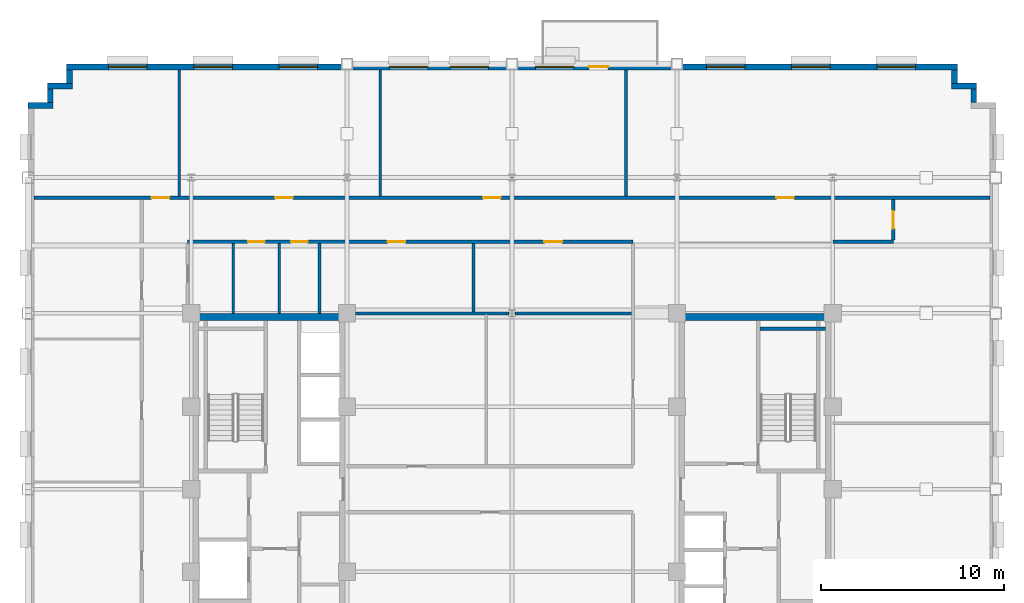
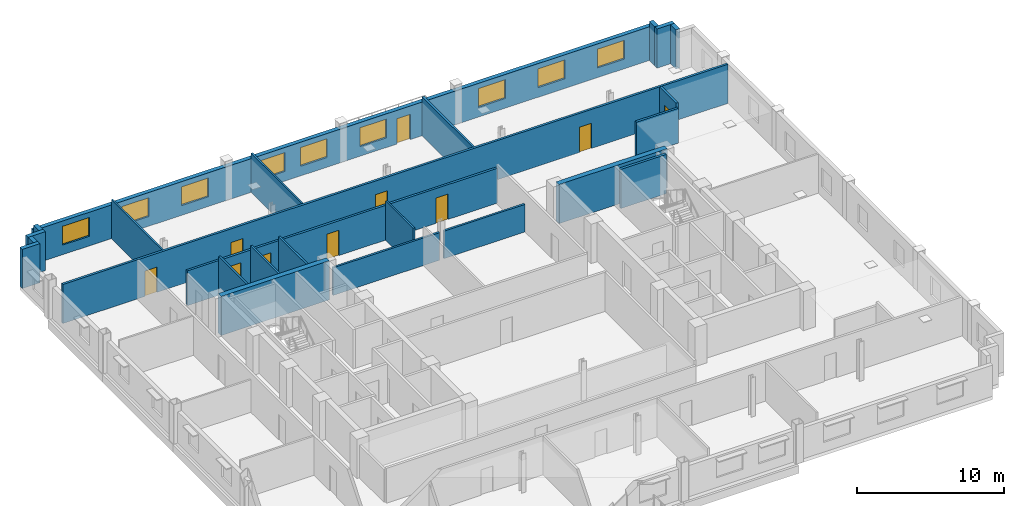
# One storey, part 9 of 14: 24 walls, 10 doors, 9 windows, 19 openings.
"""IFC4 building model written with IfcOpenShell, lengths in metres."""

from ifc_helpers import new_model, si_unit, direction, frame, frame_2d, origin, place, context, subcontext, project, spatial, rectangle, extrude, source, transform, mapped, material, layer, layer_set, type_object, type_shapes, element, fill, save


model = new_model("IFC4")

# Units and contexts
model_context = context("Model", 3, precision=1e-05, world=origin(), true_north=direction((0.0, 1.0)))
body_context = subcontext(model_context, "Body", "Model", "MODEL_VIEW")
ifc_project = project(units=[si_unit("LENGTHUNIT", "METRE"), si_unit("AREAUNIT", "SQUARE_METRE"), si_unit("VOLUMEUNIT", "CUBIC_METRE"), si_unit("PLANEANGLEUNIT", "RADIAN"), si_unit("MASSUNIT", "GRAM", prefix="KILO")], contexts=[model_context])

# Site, building, storey
site_placement = place(None, origin())
site = spatial("IfcSite", under=ifc_project, at=site_placement, CompositionType="ELEMENT")
building_placement = place(site_placement, origin())
building = spatial("IfcBuilding", under=site, at=building_placement, Name="Nuvemarco Arch Tower", CompositionType="ELEMENT")
storey_placement = place(building_placement, frame((0.0, 0.0, 164.0)))
storey = spatial("IfcBuildingStorey", under=building, at=storey_placement, Name="L43", CompositionType="ELEMENT", Elevation=164.0)

# Walls
ifc_material_1 = material(Name="Precast concrete C45/55", Category="concrete")
ifc_layer_1 = layer(ifc_material_1, 0.320068359375, Name="EW-MID-320")
ifc_layer_set_1 = layer_set([ifc_layer_1], Name="Precast concrete C45/55")
wall_type_1 = type_object("IfcWallType", Name="EW-MID-320", PredefinedType="STANDARD", material=ifc_layer_set_1)
wall_1_placement = place(storey_placement, frame((25.18994140625, 21.095947265625, 0.0), z_axis=(0.0, 0.0, 1.0), x_axis=(0.0, 1.0, 0.0)))
element("IfcWall", 1, at=wall_1_placement, inside=storey, type_object=wall_type_1, Name="L43 exterior precast facade wall 8", PredefinedType="STANDARD", context=body_context, shape_type="SweptSolid", body=[
    extrude(rectangle(XDim=0.738037109375, YDim=0.320068359375, at=frame_2d((0.369140625, 0.0))), origin(), (0.0, 0.0, 1.0), 3.239990234375),
])
wall_2_placement = place(storey_placement, frame((23.97998046875, 21.989990234375, 0.0), z_axis=(0.0, 0.0, 1.0), x_axis=(1.0, 0.0, 0.0)))
element("IfcWall", 2, at=wall_2_placement, inside=storey, type_object=wall_type_1, Name="L43 exterior precast facade wall 9", PredefinedType="STANDARD", context=body_context, shape_type="SweptSolid", body=[
    extrude(rectangle(XDim=1.3701171875, YDim=0.320068359375, at=frame_2d((0.68505859375, 0.0))), origin(), (0.0, 0.0, 1.0), 3.239990234375),
])
wall_3_placement = place(storey_placement, frame((24.139892578125, 22.14599609375, 0.0), z_axis=(0.0, 0.0, 1.0), x_axis=(0.0, 1.0, 0.0)))
element("IfcWall", 3, at=wall_3_placement, inside=storey, type_object=wall_type_1, Name="L43 exterior precast facade wall 10", PredefinedType="STANDARD", context=body_context, shape_type="SweptSolid", body=[
    extrude(rectangle(XDim=0.738037109375, YDim=0.320068359375, at=frame_2d((0.369140625, 0.0))), origin(), (0.0, 0.0, 1.0), 3.239990234375),
])

# Wall, openings, door, windows
wall_4_placement = place(storey_placement, frame((-24.300048828125, 23.0400390625, 0.0), z_axis=(0.0, 0.0, 1.0), x_axis=(1.0, 0.0, 0.0)))
wall_4 = element("IfcWall", 4, at=wall_4_placement, inside=storey, type_object=wall_type_1, Name="L43 exterior precast facade wall 11", PredefinedType="STANDARD", context=body_context, shape_type="SweptSolid", body=[
    extrude(rectangle(XDim=48.60009765625, YDim=0.320068359375, at=frame_2d((24.300048828125, 0.0))), origin(), (0.0, 0.0, 1.0), 2.7919921875),
])
opening_1_placement = place(wall_4_placement, frame((28.5, 0.0, 0.0)))
opening_1 = element("IfcOpeningElement", 5, at=opening_1_placement, cuts=wall_4, Name="Opening ED-5", PredefinedType="OPENING", context=body_context, shape_type="SweptSolid", body=[
    extrude(rectangle(XDim=1.050048828125, YDim=2.10009765625, at=frame_2d((0.52490234375, 1.050048828125))), frame((0.0, 0.169921875, 0.0), z_axis=(0.0, -1.0, 0.0), x_axis=(1.0, 0.0, 0.0)), (0.0, 0.0, 1.0), 0.340087890625),
])
opening_2_placement = place(wall_4_placement, frame((2.280029296875, 0.0, 0.800048828125)))
opening_2 = element("IfcOpeningElement", 6, at=opening_2_placement, cuts=wall_4, Name="Opening WN-5", PredefinedType="OPENING", context=body_context, shape_type="SweptSolid", body=[
    extrude(rectangle(XDim=2.10009765625, YDim=1.56005859375, at=frame_2d((1.050048828125, 0.780029296875))), frame((0.0, 0.169921875, 0.0), z_axis=(0.0, -1.0, 0.0), x_axis=(1.0, 0.0, 0.0)), (0.0, 0.0, 1.0), 0.340087890625),
])
opening_3_placement = place(wall_4_placement, frame((6.93994140625, 0.0, 0.800048828125)))
opening_3 = element("IfcOpeningElement", 7, at=opening_3_placement, cuts=wall_4, Name="Opening WN-5", PredefinedType="OPENING", context=body_context, shape_type="SweptSolid", body=[
    extrude(rectangle(XDim=2.10009765625, YDim=1.56005859375, at=frame_2d((1.050048828125, 0.780029296875))), frame((0.0, 0.169921875, 0.0), z_axis=(0.0, -1.0, 0.0), x_axis=(1.0, 0.0, 0.0)), (0.0, 0.0, 1.0), 0.340087890625),
])
opening_4_placement = place(wall_4_placement, frame((11.60009765625, 0.0, 0.800048828125)))
opening_4 = element("IfcOpeningElement", 8, at=opening_4_placement, cuts=wall_4, Name="Opening WN-5", PredefinedType="OPENING", context=body_context, shape_type="SweptSolid", body=[
    extrude(rectangle(XDim=2.10009765625, YDim=1.56005859375, at=frame_2d((1.050048828125, 0.780029296875))), frame((0.0, 0.169921875, 0.0), z_axis=(0.0, -1.0, 0.0), x_axis=(1.0, 0.0, 0.0)), (0.0, 0.0, 1.0), 0.340087890625),
])
opening_5_placement = place(wall_4_placement, frame((17.610107421875, 0.0, 0.800048828125)))
opening_5 = element("IfcOpeningElement", 9, at=opening_5_placement, cuts=wall_4, Name="Opening WN-5", PredefinedType="OPENING", context=body_context, shape_type="SweptSolid", body=[
    extrude(rectangle(XDim=2.10009765625, YDim=1.56005859375, at=frame_2d((1.050048828125, 0.780029296875))), frame((0.0, 0.169921875, 0.0), z_axis=(0.0, -1.0, 0.0), x_axis=(1.0, 0.0, 0.0)), (0.0, 0.0, 1.0), 0.340087890625),
])
opening_6_placement = place(wall_4_placement, frame((20.919921875, 0.0, 0.800048828125)))
opening_6 = element("IfcOpeningElement", 10, at=opening_6_placement, cuts=wall_4, Name="Opening WN-5", PredefinedType="OPENING", context=body_context, shape_type="SweptSolid", body=[
    extrude(rectangle(XDim=2.10009765625, YDim=1.56005859375, at=frame_2d((1.050048828125, 0.780029296875))), frame((0.0, 0.169921875, 0.0), z_axis=(0.0, -1.0, 0.0), x_axis=(1.0, 0.0, 0.0)), (0.0, 0.0, 1.0), 0.340087890625),
])
opening_7_placement = place(wall_4_placement, frame((25.580078125, 0.0, 0.800048828125)))
opening_7 = element("IfcOpeningElement", 11, at=opening_7_placement, cuts=wall_4, Name="Opening WN-5", PredefinedType="OPENING", context=body_context, shape_type="SweptSolid", body=[
    extrude(rectangle(XDim=2.10009765625, YDim=1.56005859375, at=frame_2d((1.050048828125, 0.780029296875))), frame((0.0, 0.169921875, 0.0), z_axis=(0.0, -1.0, 0.0), x_axis=(1.0, 0.0, 0.0)), (0.0, 0.0, 1.0), 0.340087890625),
])
opening_8_placement = place(wall_4_placement, frame((34.89990234375, 0.0, 0.800048828125)))
opening_8 = element("IfcOpeningElement", 12, at=opening_8_placement, cuts=wall_4, Name="Opening WN-5", PredefinedType="OPENING", context=body_context, shape_type="SweptSolid", body=[
    extrude(rectangle(XDim=2.10009765625, YDim=1.56005859375, at=frame_2d((1.050048828125, 0.780029296875))), frame((0.0, 0.169921875, 0.0), z_axis=(0.0, -1.0, 0.0), x_axis=(1.0, 0.0, 0.0)), (0.0, 0.0, 1.0), 0.340087890625),
])
opening_9_placement = place(wall_4_placement, frame((39.56005859375, 0.0, 0.800048828125)))
opening_9 = element("IfcOpeningElement", 13, at=opening_9_placement, cuts=wall_4, Name="Opening WN-5", PredefinedType="OPENING", context=body_context, shape_type="SweptSolid", body=[
    extrude(rectangle(XDim=2.10009765625, YDim=1.56005859375, at=frame_2d((1.050048828125, 0.780029296875))), frame((0.0, 0.169921875, 0.0), z_axis=(0.0, -1.0, 0.0), x_axis=(1.0, 0.0, 0.0)), (0.0, 0.0, 1.0), 0.340087890625),
])
opening_10_placement = place(wall_4_placement, frame((44.219970703125, 0.0, 0.800048828125)))
opening_10 = element("IfcOpeningElement", 14, at=opening_10_placement, cuts=wall_4, Name="Opening WN-5", PredefinedType="OPENING", context=body_context, shape_type="SweptSolid", body=[
    extrude(rectangle(XDim=2.10009765625, YDim=1.56005859375, at=frame_2d((1.050048828125, 0.780029296875))), frame((0.0, 0.169921875, 0.0), z_axis=(0.0, -1.0, 0.0), x_axis=(1.0, 0.0, 0.0)), (0.0, 0.0, 1.0), 0.340087890625),
])
ifc_material_2 = material(Name="Anodised bronze and laminated glass", Category="glass")
door_type_1 = type_object("IfcDoorType", Name="DR-EXT-TERR", OperationType="NOTDEFINED", PredefinedType="DOOR", material=ifc_material_2)
shared_shape_1 = source(origin(), body_context, "Body", "SweptSolid", [
    extrude(rectangle(XDim=1.050048828125, YDim=2.10009765625, at=frame_2d((0.52490234375, 1.050048828125))), frame((0.0, 0.02490234375, 0.0), z_axis=(0.0, -1.0, 0.0), x_axis=(1.0, 0.0, 0.0)), (0.0, 0.0, 1.0), 0.050048828125),
])
type_shapes(door_type_1, [shared_shape_1])
door_1_placement = place(opening_1_placement, origin())
door_1 = element("IfcDoor", 15, at=door_1_placement, inside=storey, type_object=door_type_1, Name="L43 spiral terrace access door", OperationType="SINGLE_SWING_LEFT", OverallHeight=2.10009765625, OverallWidth=1.050048828125, PredefinedType="DOOR", context=body_context, shape_type="MappedRepresentation", body=[
    mapped(shared_shape_1, transform((0.0, 0.0, 0.0), scale=1.0)),
])
fill(opening_1, door_1)
ifc_material_3 = material(Name="Insulated solar-control glass", Category="glass")
window_type = type_object("IfcWindowType", Name="WN-MID-2100x1560", PartitioningType="DOUBLE_PANEL_VERTICAL", PredefinedType="WINDOW", material=ifc_material_3)
shared_shape_2 = source(origin(), body_context, "Body", "SweptSolid", [
    extrude(rectangle(XDim=2.10009765625, YDim=1.56005859375, at=frame_2d((1.050048828125, 0.780029296875))), frame((0.0, 0.030029296875, 0.0), z_axis=(0.0, -1.0, 0.0), x_axis=(1.0, 0.0, 0.0)), (0.0, 0.0, 1.0), 0.06005859375),
])
type_shapes(window_type, [shared_shape_2])
window_1_placement = place(opening_2_placement, origin())
window_1 = element("IfcWindow", 16, at=window_1_placement, inside=storey, type_object=window_type, Name="L43 punched facade window 1", OverallHeight=1.56005859375, OverallWidth=2.10009765625, PartitioningType="SINGLE_PANEL", PredefinedType="WINDOW", context=body_context, shape_type="MappedRepresentation", body=[
    mapped(shared_shape_2, transform((0.0, 0.0, 0.0), scale=1.0)),
])
fill(opening_2, window_1)
window_2_placement = place(opening_3_placement, origin())
window_2 = element("IfcWindow", 17, at=window_2_placement, inside=storey, type_object=window_type, Name="L43 punched facade window 2", OverallHeight=1.56005859375, OverallWidth=2.10009765625, PartitioningType="SINGLE_PANEL", PredefinedType="WINDOW", context=body_context, shape_type="MappedRepresentation", body=[
    mapped(shared_shape_2, transform((0.0, 0.0, 0.0), scale=1.0)),
])
fill(opening_3, window_2)
window_3_placement = place(opening_4_placement, origin())
window_3 = element("IfcWindow", 18, at=window_3_placement, inside=storey, type_object=window_type, Name="L43 punched facade window 3", OverallHeight=1.56005859375, OverallWidth=2.10009765625, PartitioningType="SINGLE_PANEL", PredefinedType="WINDOW", context=body_context, shape_type="MappedRepresentation", body=[
    mapped(shared_shape_2, transform((0.0, 0.0, 0.0), scale=1.0)),
])
fill(opening_4, window_3)
window_4_placement = place(opening_5_placement, origin())
window_4 = element("IfcWindow", 19, at=window_4_placement, inside=storey, type_object=window_type, Name="L43 punched facade window 4", OverallHeight=1.56005859375, OverallWidth=2.10009765625, PartitioningType="SINGLE_PANEL", PredefinedType="WINDOW", context=body_context, shape_type="MappedRepresentation", body=[
    mapped(shared_shape_2, transform((0.0, 0.0, 0.0), scale=1.0)),
])
fill(opening_5, window_4)
window_5_placement = place(opening_6_placement, origin())
window_5 = element("IfcWindow", 20, at=window_5_placement, inside=storey, type_object=window_type, Name="L43 punched facade window 5", OverallHeight=1.56005859375, OverallWidth=2.10009765625, PartitioningType="SINGLE_PANEL", PredefinedType="WINDOW", context=body_context, shape_type="MappedRepresentation", body=[
    mapped(shared_shape_2, transform((0.0, 0.0, 0.0), scale=1.0)),
])
fill(opening_6, window_5)
window_6_placement = place(opening_7_placement, origin())
window_6 = element("IfcWindow", 21, at=window_6_placement, inside=storey, type_object=window_type, Name="L43 punched facade window 6", OverallHeight=1.56005859375, OverallWidth=2.10009765625, PartitioningType="SINGLE_PANEL", PredefinedType="WINDOW", context=body_context, shape_type="MappedRepresentation", body=[
    mapped(shared_shape_2, transform((0.0, 0.0, 0.0), scale=1.0)),
])
fill(opening_7, window_6)
window_7_placement = place(opening_8_placement, origin())
window_7 = element("IfcWindow", 22, at=window_7_placement, inside=storey, type_object=window_type, Name="L43 punched facade window 8", OverallHeight=1.56005859375, OverallWidth=2.10009765625, PartitioningType="SINGLE_PANEL", PredefinedType="WINDOW", context=body_context, shape_type="MappedRepresentation", body=[
    mapped(shared_shape_2, transform((0.0, 0.0, 0.0), scale=1.0)),
])
fill(opening_8, window_7)
window_8_placement = place(opening_9_placement, origin())
window_8 = element("IfcWindow", 23, at=window_8_placement, inside=storey, type_object=window_type, Name="L43 punched facade window 9", OverallHeight=1.56005859375, OverallWidth=2.10009765625, PartitioningType="SINGLE_PANEL", PredefinedType="WINDOW", context=body_context, shape_type="MappedRepresentation", body=[
    mapped(shared_shape_2, transform((0.0, 0.0, 0.0), scale=1.0)),
])
fill(opening_9, window_8)
window_9_placement = place(opening_10_placement, origin())
window_9 = element("IfcWindow", 24, at=window_9_placement, inside=storey, type_object=window_type, Name="L43 punched facade window 10", OverallHeight=1.56005859375, OverallWidth=2.10009765625, PartitioningType="SINGLE_PANEL", PredefinedType="WINDOW", context=body_context, shape_type="MappedRepresentation", body=[
    mapped(shared_shape_2, transform((0.0, 0.0, 0.0), scale=1.0)),
])
fill(opening_10, window_9)

# Walls
wall_5_placement = place(storey_placement, frame((-24.139892578125, 22.14599609375, 0.0), z_axis=(0.0, 0.0, 1.0), x_axis=(0.0, 1.0, 0.0)))
element("IfcWall", 25, at=wall_5_placement, inside=storey, type_object=wall_type_1, Name="L43 exterior precast facade wall 12", PredefinedType="STANDARD", context=body_context, shape_type="SweptSolid", body=[
    extrude(rectangle(XDim=0.738037109375, YDim=0.320068359375, at=frame_2d((0.369140625, 0.0))), origin(), (0.0, 0.0, 1.0), 3.239990234375),
])
wall_6_placement = place(storey_placement, frame((-25.35009765625, 21.989990234375, 0.0), z_axis=(0.0, 0.0, 1.0), x_axis=(1.0, 0.0, 0.0)))
element("IfcWall", 26, at=wall_6_placement, inside=storey, type_object=wall_type_1, Name="L43 exterior precast facade wall 13", PredefinedType="STANDARD", context=body_context, shape_type="SweptSolid", body=[
    extrude(rectangle(XDim=1.3701171875, YDim=0.320068359375, at=frame_2d((0.68505859375, 0.0))), origin(), (0.0, 0.0, 1.0), 3.239990234375),
])
wall_7_placement = place(storey_placement, frame((-25.18994140625, 21.095947265625, 0.0), z_axis=(0.0, 0.0, 1.0), x_axis=(0.0, 1.0, 0.0)))
element("IfcWall", 27, at=wall_7_placement, inside=storey, type_object=wall_type_1, Name="L43 exterior precast facade wall 14", PredefinedType="STANDARD", context=body_context, shape_type="SweptSolid", body=[
    extrude(rectangle(XDim=0.738037109375, YDim=0.320068359375, at=frame_2d((0.369140625, 0.0))), origin(), (0.0, 0.0, 1.0), 3.239990234375),
])
wall_8_placement = place(storey_placement, frame((-26.39990234375, 20.93994140625, 0.0), z_axis=(0.0, 0.0, 1.0), x_axis=(1.0, 0.0, 0.0)))
element("IfcWall", 28, at=wall_8_placement, inside=storey, type_object=wall_type_1, Name="L43 exterior precast facade wall 15", PredefinedType="STANDARD", context=body_context, shape_type="SweptSolid", body=[
    extrude(rectangle(XDim=1.369873046875, YDim=0.320068359375, at=frame_2d((0.68505859375, 0.0))), origin(), (0.0, 0.0, 1.0), 3.239990234375),
])
ifc_material_4 = material(Name="Concrete C60/75", Category="concrete")
ifc_layer_2 = layer(ifc_material_4, 0.39990234375, Name="WL-CORE-400")
ifc_layer_set_2 = layer_set([ifc_layer_2], Name="Concrete C60/75")
wall_type_2 = type_object("IfcWallType", Name="WL-CORE-400", PredefinedType="SHEAR", material=ifc_layer_set_2)
for number, where, z_axis, x_axis, name in (
    (29, (-17.5, 9.39990234375, 0.0), (0.0, 0.0, 1.0), (1.0, 0.0, 0.0), "L43 W-core shear wall N"),
    (30, (9.0, 9.39990234375, 0.0), (0.0, 0.0, 1.0), (1.0, 0.0, 0.0), "L43 E-core shear wall N"),
):
    element("IfcWall", number, at=place(storey_placement, frame(where, z_axis=z_axis, x_axis=x_axis)), inside=storey, type_object=wall_type_2, Name=name, PredefinedType="SHEAR", context=body_context, shape_type="SweptSolid", body=[
        extrude(rectangle(XDim=8.5, YDim=0.39990234375, at=frame_2d((4.25, 0.0))), origin(), (0.0, 0.0, 1.0), 3.25),
    ])

# Wall, openings, doors
ifc_material_5 = material(Name="Fire-rated gypsum drywall partition")
ifc_layer_3 = layer(ifc_material_5, 0.179931640625, Name="WL-CORR-180")
ifc_layer_set_3 = layer_set([ifc_layer_3], Name="Fire-rated gypsum drywall partition")
wall_type_3 = type_object("IfcWallType", Name="WL-CORR-180", PredefinedType="PARTITIONING", material=ifc_layer_set_3)
wall_9_placement = place(storey_placement, frame((-17.699951171875, 13.5, 0.0), z_axis=(0.0, 0.0, 1.0), x_axis=(1.0, 0.0, 0.0)))
wall_9 = element("IfcWall", 31, at=wall_9_placement, inside=storey, type_object=wall_type_3, Name="L43 interior wall IW-L43-014", PredefinedType="PARTITIONING", context=body_context, shape_type="SweptSolid", body=[
    extrude(rectangle(XDim=24.300048828125, YDim=0.179931640625, at=frame_2d((12.14990234375, 0.0))), origin(), (0.0, 0.0, 1.0), 2.887939453125),
])
opening_11_placement = place(wall_9_placement, frame((19.469970703125, 0.0, 0.0)))
opening_11 = element("IfcOpeningElement", 32, at=opening_11_placement, cuts=wall_9, Name="Opening FD-5", PredefinedType="OPENING", context=body_context, shape_type="SweptSolid", body=[
    extrude(rectangle(XDim=0.9599609375, YDim=2.10009765625, at=frame_2d((0.47998046875, 1.050048828125))), frame((0.0, 0.099853515625, 0.0), z_axis=(0.0, -1.0, 0.0), x_axis=(1.0, 0.0, 0.0)), (0.0, 0.0, 1.0), 0.199951171875),
])
opening_12_placement = place(wall_9_placement, frame((10.919921875, 0.0, 0.0)))
opening_12 = element("IfcOpeningElement", 33, at=opening_12_placement, cuts=wall_9, Name="Opening FD-5", PredefinedType="OPENING", context=body_context, shape_type="SweptSolid", body=[
    extrude(rectangle(XDim=0.9599609375, YDim=2.10009765625, at=frame_2d((0.47998046875, 1.050048828125))), frame((0.0, 0.099853515625, 0.0), z_axis=(0.0, -1.0, 0.0), x_axis=(1.0, 0.0, 0.0)), (0.0, 0.0, 1.0), 0.199951171875),
])
opening_13_placement = place(wall_9_placement, frame((3.300048828125, 0.0, 0.0)))
opening_13 = element("IfcOpeningElement", 34, at=opening_13_placement, cuts=wall_9, Name="Opening ID-3", PredefinedType="OPENING", context=body_context, shape_type="SweptSolid", body=[
    extrude(rectangle(XDim=0.89990234375, YDim=2.10009765625, at=frame_2d((0.449951171875, 1.050048828125))), frame((0.0, 0.099853515625, 0.0), z_axis=(0.0, -1.0, 0.0), x_axis=(1.0, 0.0, 0.0)), (0.0, 0.0, 1.0), 0.199951171875),
])
opening_14_placement = place(wall_9_placement, frame((5.64990234375, 0.0, 0.0)))
opening_14 = element("IfcOpeningElement", 35, at=opening_14_placement, cuts=wall_9, Name="Opening ID-3", PredefinedType="OPENING", context=body_context, shape_type="SweptSolid", body=[
    extrude(rectangle(XDim=0.89990234375, YDim=2.10009765625, at=frame_2d((0.449951171875, 1.050048828125))), frame((0.0, 0.099853515625, 0.0), z_axis=(0.0, -1.0, 0.0), x_axis=(1.0, 0.0, 0.0)), (0.0, 0.0, 1.0), 0.199951171875),
])
ifc_material_6 = material(Name="Timber fire door", Category="wood")
door_type_2 = type_object("IfcDoorType", Name="DR-CORR-FD", OperationType="NOTDEFINED", PredefinedType="DOOR", material=ifc_material_6)
shared_shape_3 = source(origin(), body_context, "Body", "SweptSolid", [
    extrude(rectangle(XDim=0.9599609375, YDim=2.10009765625, at=frame_2d((0.47998046875, 1.050048828125))), frame((0.0, 0.02490234375, 0.0), z_axis=(0.0, -1.0, 0.0), x_axis=(1.0, 0.0, 0.0)), (0.0, 0.0, 1.0), 0.050048828125),
])
type_shapes(door_type_2, [shared_shape_3])
door_2_placement = place(opening_11_placement, origin())
door_2 = element("IfcDoor", 36, at=door_2_placement, inside=storey, type_object=door_type_2, Name="L43 door DR-L43-IN_N2", OperationType="SINGLE_SWING_LEFT", OverallHeight=2.10009765625, OverallWidth=0.9599609375, PredefinedType="DOOR", context=body_context, shape_type="MappedRepresentation", body=[
    mapped(shared_shape_3, transform((0.0, 0.0, 0.0), scale=1.0)),
])
fill(opening_11, door_2)
door_3_placement = place(opening_12_placement, origin())
door_3 = element("IfcDoor", 37, at=door_3_placement, inside=storey, type_object=door_type_2, Name="L43 door DR-L43-IN_N1", OperationType="SINGLE_SWING_LEFT", OverallHeight=2.10009765625, OverallWidth=0.9599609375, PredefinedType="DOOR", context=body_context, shape_type="MappedRepresentation", body=[
    mapped(shared_shape_3, transform((0.0, 0.0, 0.0), scale=1.0)),
])
fill(opening_12, door_3)
ifc_material_7 = material(Name="Veneered oak timber fire door", Category="wood")
door_type_3 = type_object("IfcDoorType", Name="DR-WC-ACC", OperationType="NOTDEFINED", PredefinedType="DOOR", material=ifc_material_7)
shared_shape_4 = source(origin(), body_context, "Body", "SweptSolid", [
    extrude(rectangle(XDim=0.89990234375, YDim=2.10009765625, at=frame_2d((0.449951171875, 1.050048828125))), frame((0.0, 0.02490234375, 0.0), z_axis=(0.0, -1.0, 0.0), x_axis=(1.0, 0.0, 0.0)), (0.0, 0.0, 1.0), 0.050048828125),
])
type_shapes(door_type_3, [shared_shape_4])
door_4_placement = place(opening_13_placement, origin())
door_4 = element("IfcDoor", 38, at=door_4_placement, inside=storey, type_object=door_type_3, Name="L43 door DR-L43-WC_F", OperationType="SINGLE_SWING_LEFT", OverallHeight=2.10009765625, OverallWidth=0.89990234375, PredefinedType="DOOR", context=body_context, shape_type="MappedRepresentation", body=[
    mapped(shared_shape_4, transform((0.0, 0.0, 0.0), scale=1.0)),
])
fill(opening_13, door_4)
door_5_placement = place(opening_14_placement, origin())
door_5 = element("IfcDoor", 39, at=door_5_placement, inside=storey, type_object=door_type_3, Name="L43 door DR-L43-WC_ACC", OperationType="SINGLE_SWING_LEFT", OverallHeight=2.10009765625, OverallWidth=0.89990234375, PredefinedType="DOOR", context=body_context, shape_type="MappedRepresentation", body=[
    mapped(shared_shape_4, transform((0.0, 0.0, 0.0), scale=1.0)),
])
fill(opening_14, door_5)

# Wall
wall_10_placement = place(storey_placement, frame((17.5, 13.5, 0.0), z_axis=(0.0, 0.0, 1.0), x_axis=(1.0, 0.0, 0.0)))
element("IfcWall", 40, at=wall_10_placement, inside=storey, type_object=wall_type_3, Name="L43 interior wall IW-L43-015", PredefinedType="PARTITIONING", context=body_context, shape_type="SweptSolid", body=[
    extrude(rectangle(XDim=3.300048828125, YDim=0.179931640625, at=frame_2d((1.64990234375, 0.0))), origin(), (0.0, 0.0, 1.0), 2.887939453125),
])

# Wall, openings, doors
wall_11_placement = place(storey_placement, frame((-26.080078125, 15.89990234375, 0.0), z_axis=(0.0, 0.0, 1.0), x_axis=(1.0, 0.0, 0.0)))
wall_11 = element("IfcWall", 41, at=wall_11_placement, inside=storey, type_object=wall_type_3, Name="L43 interior wall IW-L43-016", PredefinedType="PARTITIONING", context=body_context, shape_type="SweptSolid", body=[
    extrude(rectangle(XDim=52.16015625, YDim=0.179931640625, at=frame_2d((26.080078125, 0.0))), origin(), (0.0, 0.0, 1.0), 3.239990234375),
])
opening_15_placement = place(wall_11_placement, frame((24.5, 0.0, 0.0)))
opening_15 = element("IfcOpeningElement", 42, at=opening_15_placement, cuts=wall_11, Name="Opening FD-5", PredefinedType="OPENING", context=body_context, shape_type="SweptSolid", body=[
    extrude(rectangle(XDim=0.9599609375, YDim=2.10009765625, at=frame_2d((0.47998046875, 1.050048828125))), frame((0.0, 0.099853515625, 0.0), z_axis=(0.0, -1.0, 0.0), x_axis=(1.0, 0.0, 0.0)), (0.0, 0.0, 1.0), 0.199951171875),
])
opening_16_placement = place(wall_11_placement, frame((40.5, 0.0, 0.0)))
opening_16 = element("IfcOpeningElement", 43, at=opening_16_placement, cuts=wall_11, Name="Opening FD-5", PredefinedType="OPENING", context=body_context, shape_type="SweptSolid", body=[
    extrude(rectangle(XDim=0.9599609375, YDim=2.10009765625, at=frame_2d((0.47998046875, 1.050048828125))), frame((0.0, 0.099853515625, 0.0), z_axis=(0.0, -1.0, 0.0), x_axis=(1.0, 0.0, 0.0)), (0.0, 0.0, 1.0), 0.199951171875),
])
opening_17_placement = place(wall_11_placement, frame((13.159912109375, 0.0, 0.0)))
opening_17 = element("IfcOpeningElement", 44, at=opening_17_placement, cuts=wall_11, Name="Opening FD-5", PredefinedType="OPENING", context=body_context, shape_type="SweptSolid", body=[
    extrude(rectangle(XDim=0.9599609375, YDim=2.10009765625, at=frame_2d((0.47998046875, 1.050048828125))), frame((0.0, 0.099853515625, 0.0), z_axis=(0.0, -1.0, 0.0), x_axis=(1.0, 0.0, 0.0)), (0.0, 0.0, 1.0), 0.199951171875),
])
opening_18_placement = place(wall_11_placement, frame((6.425048828125, 0.0, 0.0)))
opening_18 = element("IfcOpeningElement", 45, at=opening_18_placement, cuts=wall_11, Name="Opening FD-5", PredefinedType="OPENING", context=body_context, shape_type="SweptSolid", body=[
    extrude(rectangle(XDim=0.9599609375, YDim=2.10009765625, at=frame_2d((0.47998046875, 1.050048828125))), frame((0.0, 0.099853515625, 0.0), z_axis=(0.0, -1.0, 0.0), x_axis=(1.0, 0.0, 0.0)), (0.0, 0.0, 1.0), 0.199951171875),
])
door_6_placement = place(opening_15_placement, origin())
door_6 = element("IfcDoor", 46, at=door_6_placement, inside=storey, type_object=door_type_2, Name="L43 door DR-L43-N_3", OperationType="SINGLE_SWING_LEFT", OverallHeight=2.10009765625, OverallWidth=0.9599609375, PredefinedType="DOOR", context=body_context, shape_type="MappedRepresentation", body=[
    mapped(shared_shape_3, transform((0.0, 0.0, 0.0), scale=1.0)),
])
fill(opening_15, door_6)
door_7_placement = place(opening_16_placement, origin())
door_7 = element("IfcDoor", 47, at=door_7_placement, inside=storey, type_object=door_type_2, Name="L43 door DR-L43-N_4", OperationType="SINGLE_SWING_RIGHT", OverallHeight=2.10009765625, OverallWidth=0.9599609375, PredefinedType="DOOR", context=body_context, shape_type="MappedRepresentation", body=[
    mapped(shared_shape_3, transform((0.0, 0.0, 0.0), scale=1.0)),
])
fill(opening_16, door_7)
door_8_placement = place(opening_17_placement, origin())
door_8 = element("IfcDoor", 48, at=door_8_placement, inside=storey, type_object=door_type_2, Name="L43 door DR-L43-N_2", OperationType="SINGLE_SWING_LEFT", OverallHeight=2.10009765625, OverallWidth=0.9599609375, PredefinedType="DOOR", context=body_context, shape_type="MappedRepresentation", body=[
    mapped(shared_shape_3, transform((0.0, 0.0, 0.0), scale=1.0)),
])
fill(opening_17, door_8)
door_9_placement = place(opening_18_placement, origin())
door_9 = element("IfcDoor", 49, at=door_9_placement, inside=storey, type_object=door_type_2, Name="L43 door DR-L43-N_1", OperationType="SINGLE_SWING_RIGHT", OverallHeight=2.10009765625, OverallWidth=0.9599609375, PredefinedType="DOOR", context=body_context, shape_type="MappedRepresentation", body=[
    mapped(shared_shape_3, transform((0.0, 0.0, 0.0), scale=1.0)),
])
fill(opening_18, door_9)

# Wall, opening, door
wall_12_placement = place(storey_placement, frame((20.800048828125, 13.5859375, 0.0), z_axis=(0.0, 0.0, 1.0), x_axis=(0.0, 1.0, 0.0)))
wall_12 = element("IfcWall", 50, at=wall_12_placement, inside=storey, type_object=wall_type_3, Name="L43 interior wall IW-L43-035", PredefinedType="PARTITIONING", context=body_context, shape_type="SweptSolid", body=[
    extrude(rectangle(XDim=2.22802734375, YDim=0.179931640625, at=frame_2d((1.114013671875, 0.0))), origin(), (0.0, 0.0, 1.0), 3.239990234375),
])
opening_19_placement = place(wall_12_placement, frame((0.634033203125, 0.0, 0.0)))
opening_19 = element("IfcOpeningElement", 51, at=opening_19_placement, cuts=wall_12, Name="Opening FD-5", PredefinedType="OPENING", context=body_context, shape_type="SweptSolid", body=[
    extrude(rectangle(XDim=0.9599609375, YDim=2.10009765625, at=frame_2d((0.47998046875, 1.050048828125))), frame((0.0, 0.099853515625, 0.0), z_axis=(0.0, -1.0, 0.0), x_axis=(1.0, 0.0, 0.0)), (0.0, 0.0, 1.0), 0.199951171875),
])
door_10_placement = place(opening_19_placement, origin())
door_10 = element("IfcDoor", 52, at=door_10_placement, inside=storey, type_object=door_type_2, Name="L43 door DR-L43-E_2", OperationType="SINGLE_SWING_RIGHT", OverallHeight=2.10009765625, OverallWidth=0.9599609375, PredefinedType="DOOR", context=body_context, shape_type="MappedRepresentation", body=[
    mapped(shared_shape_3, transform((0.0, 0.0, 0.0), scale=1.0)),
])
fill(opening_19, door_10)

# Walls
ifc_material_8 = material(Name="Glazed acoustic office partition")
ifc_layer_4 = layer(ifc_material_8, 0.1298828125, Name="WL-EXEC-130")
ifc_layer_set_4 = layer_set([ifc_layer_4], Name="Glazed acoustic office partition")
wall_type_4 = type_object("IfcWallType", Name="WL-EXEC-130", PredefinedType="PARTITIONING", material=ifc_layer_set_4)
for number, where, z_axis, x_axis, name in (
    (53, (-18.14990234375, 15.986083984375, 0.0), (0.0, 0.0, 1.0), (0.0, 1.0, 0.0), "L43 interior wall IW-L43-018"),
    (54, (-7.179931640625, 15.986083984375, 0.0), (0.0, 0.0, 1.0), (0.0, 1.0, 0.0), "L43 interior wall IW-L43-025"),
):
    element("IfcWall", number, at=place(storey_placement, frame(where, z_axis=z_axis, x_axis=x_axis)), inside=storey, type_object=wall_type_4, Name=name, PredefinedType="PARTITIONING", context=body_context, shape_type="SweptSolid", body=[
        extrude(rectangle(XDim=6.893798828125, YDim=0.1298828125, at=frame_2d((3.44677734375, 0.0))), origin(), (0.0, 0.0, 1.0), 3.239990234375),
    ])
ifc_material_9 = material(Name="Gypsum plasterboard partition")
ifc_layer_5 = layer(ifc_material_9, 0.139892578125, Name="WL-ROOM-140")
ifc_layer_set_5 = layer_set([ifc_layer_5], Name="Gypsum plasterboard partition")
wall_type_5 = type_object("IfcWallType", Name="WL-ROOM-140", PredefinedType="PARTITIONING", material=ifc_layer_set_5)
wall_13_placement = place(storey_placement, frame((-2.10009765625, 9.676025390625, 0.0), z_axis=(0.0, 0.0, 1.0), x_axis=(0.0, 1.0, 0.0)))
element("IfcWall", 55, at=wall_13_placement, inside=storey, type_object=wall_type_5, Name="L43 interior wall IW-L43-027", PredefinedType="PARTITIONING", context=body_context, shape_type="SweptSolid", body=[
    extrude(rectangle(XDim=3.738037109375, YDim=0.139892578125, at=frame_2d((1.869140625, 0.0))), origin(), (0.0, 0.0, 1.0), 3.239990234375),
])
ifc_material_10 = material(Name="Concrete C50/60", Category="concrete")
ifc_layer_6 = layer(ifc_material_10, 0.199951171875, Name="WL-SHAFT-220")
ifc_layer_set_6 = layer_set([ifc_layer_6], Name="Concrete C50/60")
wall_type_6 = type_object("IfcWallType", Name="WL-SHAFT-220", PredefinedType="SHEAR", material=ifc_layer_set_6)
wall_14_placement = place(storey_placement, frame((13.534912109375, 8.75, 0.0), z_axis=(0.0, 0.0, 1.0), x_axis=(1.0, 0.0, 0.0)))
element("IfcWall", 56, at=wall_14_placement, inside=storey, type_object=wall_type_6, Name="L43 structural shaft wall SW-L43-E-ST2N", PredefinedType="SHEAR", context=body_context, shape_type="SweptSolid", body=[
    extrude(rectangle(XDim=3.570068359375, YDim=0.199951171875, at=frame_2d((1.78515625, 0.0))), origin(), (0.0, 0.0, 1.0), 3.25),
])
ifc_material_11 = material(Name="Acoustic gypsum drywall partition")
ifc_layer_7 = layer(ifc_material_11, 0.159912109375, Name="WL-TENANT-160")
ifc_layer_set_7 = layer_set([ifc_layer_7], Name="Acoustic gypsum drywall partition")
wall_type_7 = type_object("IfcWallType", Name="WL-TENANT-160", PredefinedType="PARTITIONING", material=ifc_layer_set_7)
wall_15_placement = place(storey_placement, frame((-8.529052734375, 9.60009765625, 0.0), z_axis=(0.0, 0.0, 1.0), x_axis=(1.0, 0.0, 0.0)))
element("IfcWall", 57, at=wall_15_placement, inside=storey, type_object=wall_type_7, Name="L43 interior wall IW-L43-012", PredefinedType="PARTITIONING", context=body_context, shape_type="SweptSolid", body=[
    extrude(rectangle(XDim=8.35302734375, YDim=0.159912109375, at=frame_2d((4.176513671875, 0.0))), origin(), (0.0, 0.0, 1.0), 2.284912109375),
])
wall_16_placement = place(storey_placement, frame((0.176025390625, 9.60009765625, 0.0), z_axis=(0.0, 0.0, 1.0), x_axis=(1.0, 0.0, 0.0)))
element("IfcWall", 58, at=wall_16_placement, inside=storey, type_object=wall_type_7, Name="L43 interior wall IW-L43-013", PredefinedType="PARTITIONING", context=body_context, shape_type="SweptSolid", body=[
    extrude(rectangle(XDim=6.337890625, YDim=0.159912109375, at=frame_2d((3.1689453125, 0.0))), origin(), (0.0, 0.0, 1.0), 2.284912109375),
])
wall_17_placement = place(storey_placement, frame((6.22998046875, 15.986083984375, 0.0), z_axis=(0.0, 0.0, 1.0), x_axis=(0.0, 1.0, 0.0)))
element("IfcWall", 59, at=wall_17_placement, inside=storey, type_object=wall_type_7, Name="L43 interior wall IW-L43-030", PredefinedType="PARTITIONING", context=body_context, shape_type="SweptSolid", body=[
    extrude(rectangle(XDim=6.893798828125, YDim=0.159912109375, at=frame_2d((3.44677734375, 0.0))), origin(), (0.0, 0.0, 1.0), 3.239990234375),
])
ifc_material_12 = material(Name="Moisture-resistant gypsum partition")
ifc_layer_8 = layer(ifc_material_12, 0.14990234375, Name="WL-WET-150")
ifc_layer_set_8 = layer_set([ifc_layer_8], Name="Moisture-resistant gypsum partition")
wall_type_8 = type_object("IfcWallType", Name="WL-WET-150", PredefinedType="PARTITIONING", material=ifc_layer_set_8)
for number, where, z_axis, x_axis, name in (
    (60, (-15.199951171875, 9.60009765625, 0.0), (0.0, 0.0, 1.0), (0.0, 1.0, 0.0), "L43 interior wall IW-L43-022"),
    (61, (-12.699951171875, 9.60009765625, 0.0), (0.0, 0.0, 1.0), (0.0, 1.0, 0.0), "L43 interior wall IW-L43-023"),
    (62, (-10.5, 9.60009765625, 0.0), (0.0, 0.0, 1.0), (0.0, 1.0, 0.0), "L43 interior wall IW-L43-024"),
):
    element("IfcWall", number, at=place(storey_placement, frame(where, z_axis=z_axis, x_axis=x_axis)), inside=storey, type_object=wall_type_8, Name=name, PredefinedType="PARTITIONING", context=body_context, shape_type="SweptSolid", body=[
        extrude(rectangle(XDim=3.81396484375, YDim=0.14990234375, at=frame_2d((1.906982421875, 0.0))), origin(), (0.0, 0.0, 1.0), 3.239990234375),
    ])

save(model, "model.ifc")
